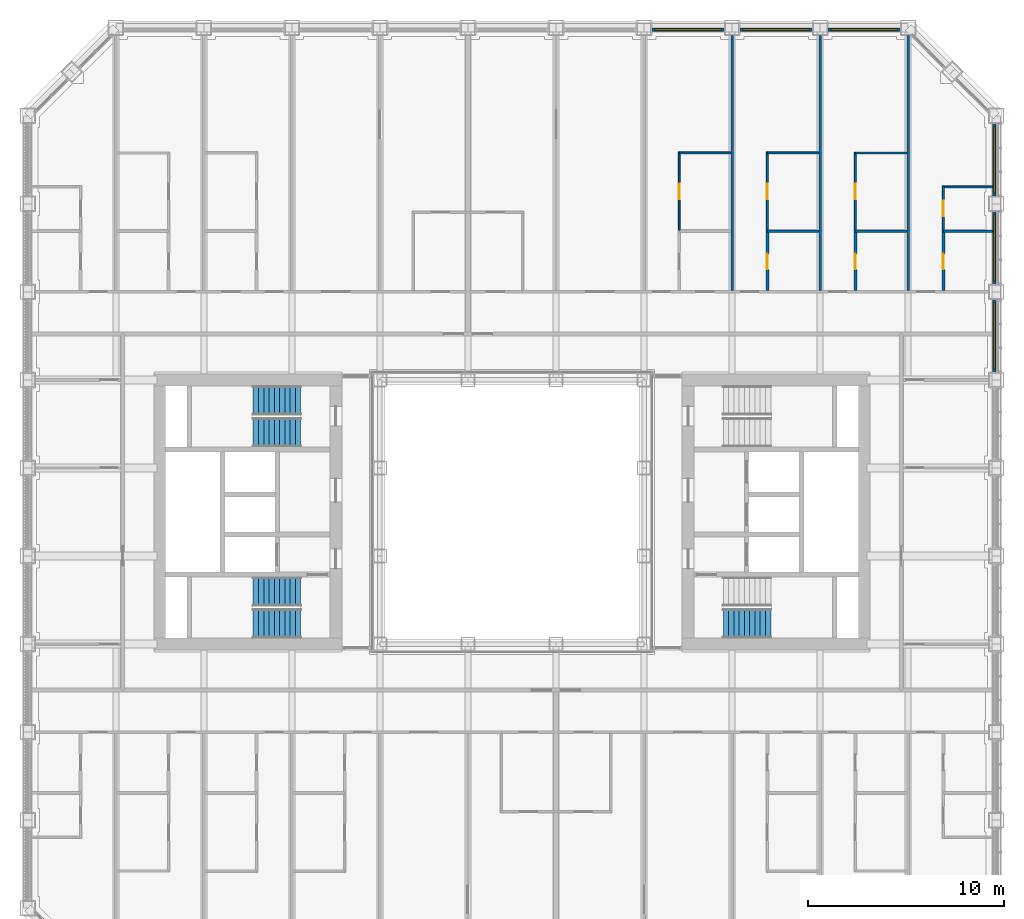
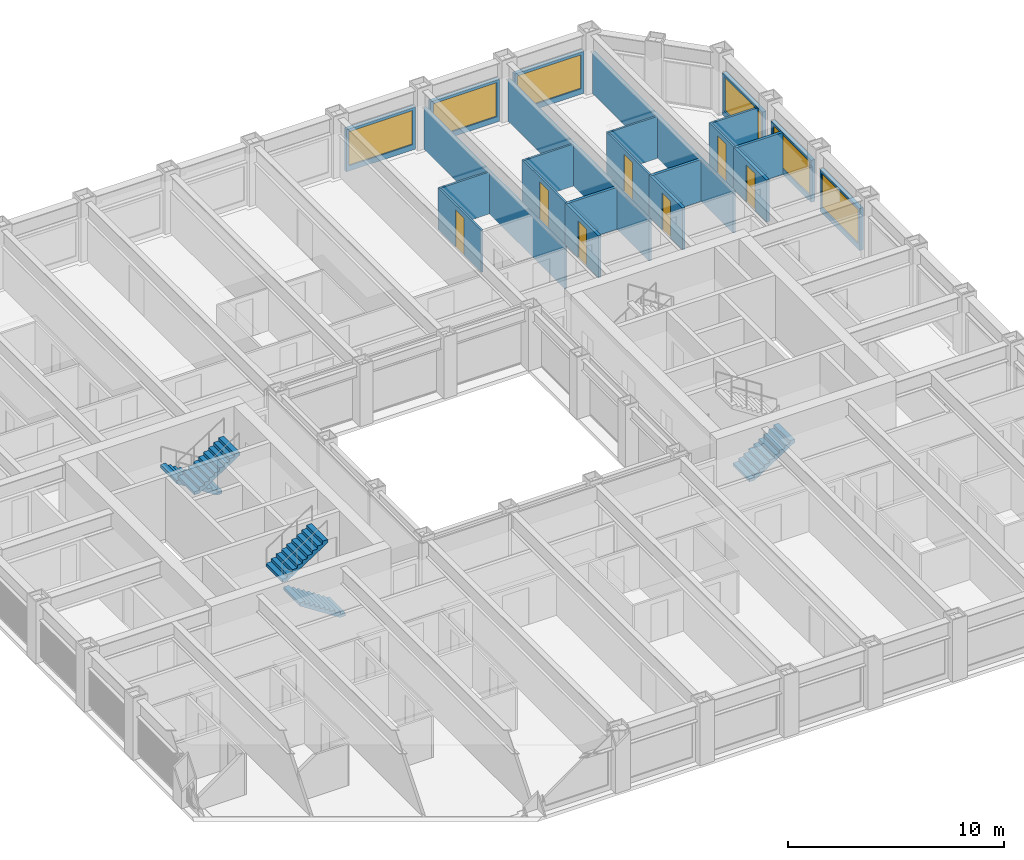
# One storey, part 15 of 21: 23 walls, 7 doors, 6 windows, 5 stair flights, 13 openings, 3 elements without a shape of their own.
"""IFC4 building model written with IfcOpenShell, lengths in metres."""

from ifc_helpers import new_model, si_unit, direction, frame, frame_2d, origin, place, context, subcontext, project, spatial, polyline, rectangle, outline, extrude, material, layer, layer_set, type_object, element, fill, aggregate, save


model = new_model("IFC4")

# Units and contexts
model_context = context("Model", 3, precision=1e-05, world=origin(), true_north=direction((0.0, 1.0)))
body_context = subcontext(model_context, "Body", "Model", "MODEL_VIEW")
ifc_project = project(units=[si_unit("LENGTHUNIT", "METRE"), si_unit("AREAUNIT", "SQUARE_METRE"), si_unit("VOLUMEUNIT", "CUBIC_METRE"), si_unit("PLANEANGLEUNIT", "RADIAN"), si_unit("MASSUNIT", "GRAM", prefix="KILO")], contexts=[model_context])

# Site, building, storey
site_placement = place(None, origin())
site = spatial("IfcSite", under=ifc_project, at=site_placement, CompositionType="ELEMENT")
building_placement = place(site_placement, origin())
building = spatial("IfcBuilding", under=site, at=building_placement, Name="Msasa Ring Tower", CompositionType="ELEMENT")
storey_placement = place(building_placement, frame((0.0, 0.0, 82.5)))
storey = spatial("IfcBuildingStorey", under=building, at=storey_placement, Name="L21", CompositionType="ELEMENT", Elevation=82.5)

# Wall, opening, window
ifc_material_1 = material(Name="Terracotta rainscreen on blockwork", Category="masonry")
ifc_layer_1 = layer(ifc_material_1, 0.199951171875)
ifc_layer_set_1 = layer_set([ifc_layer_1], Name="FW1 TERRACOTTA-LINED INFILL BAY WALL 200")
wall_type_1 = type_object("IfcWallType", Name="FW1 TERRACOTTA-LINED INFILL BAY WALL 200", PredefinedType="SOLIDWALL", material=ifc_layer_set_1)
wall_1_placement = place(storey_placement, frame((24.64990234375, 7.155029296875, 0.0), z_axis=(0.0, 0.0, 1.0), x_axis=(0.0, 1.0, 0.0)))
wall_1 = element("IfcWall", 1, at=wall_1_placement, inside=storey, type_object=wall_type_1, Name="Infill bay wall E L21 17", PredefinedType="SOLIDWALL", context=body_context, shape_type="SweptSolid", body=[
    extrude(rectangle(XDim=3.68994140625, YDim=0.199951171875, at=frame_2d((1.844970703125, 0.0))), origin(), (0.0, 0.0, 1.0), 2.37890625),
])
opening_1_placement = place(wall_1_placement, frame((0.14501953125, 0.0, 0.300048828125)))
opening_1 = element("IfcOpeningElement", 2, at=opening_1_placement, cuts=wall_1, Name="Opening WN1", PredefinedType="OPENING", context=body_context, shape_type="SweptSolid", body=[
    extrude(rectangle(XDim=3.39990234375, YDim=1.928955078125, at=frame_2d((1.699951171875, 0.96435546875))), frame((0.0, 0.10986328125, 0.0), z_axis=(0.0, -1.0, 0.0), x_axis=(1.0, 0.0, 0.0)), (0.0, 0.0, 1.0), 0.219970703125),
])
ifc_material_2 = material(Name="Aluminium frame with clear glass", Category="aluminium")
window_type = type_object("IfcWindowType", Name="WN1 RESIDENCE WINDOW 3400x1929", PartitioningType="SINGLE_PANEL", PredefinedType="WINDOW", material=ifc_material_2)
window_1_placement = place(opening_1_placement, origin())
window_1 = element("IfcWindow", 3, at=window_1_placement, inside=storey, type_object=window_type, Name="Window E L21 17", OverallHeight=1.928955078125, OverallWidth=3.39990234375, PartitioningType="SINGLE_PANEL", PredefinedType="WINDOW", context=body_context, shape_type="SweptSolid", body=[
    extrude(rectangle(XDim=3.39990234375, YDim=1.928955078125, at=frame_2d((1.699951171875, 0.96435546875))), frame((0.0, 0.030029296875, 0.0), z_axis=(0.0, -1.0, 0.0), x_axis=(1.0, 0.0, 0.0)), (0.0, 0.0, 1.0), 0.06005859375),
])
fill(opening_1, window_1)

wall_2_placement = place(storey_placement, frame((24.64990234375, 11.655029296875, 0.0), z_axis=(0.0, 0.0, 1.0), x_axis=(0.0, 1.0, 0.0)))
wall_2 = element("IfcWall", 4, at=wall_2_placement, inside=storey, type_object=wall_type_1, Name="Infill bay wall E L21 18", PredefinedType="SOLIDWALL", context=body_context, shape_type="SweptSolid", body=[
    extrude(rectangle(XDim=3.68994140625, YDim=0.199951171875, at=frame_2d((1.844970703125, 0.0))), origin(), (0.0, 0.0, 1.0), 2.37890625),
])
opening_2_placement = place(wall_2_placement, frame((0.14501953125, 0.0, 0.300048828125)))
opening_2 = element("IfcOpeningElement", 5, at=opening_2_placement, cuts=wall_2, Name="Opening WN1", PredefinedType="OPENING", context=body_context, shape_type="SweptSolid", body=[
    extrude(rectangle(XDim=3.39990234375, YDim=1.928955078125, at=frame_2d((1.699951171875, 0.96435546875))), frame((0.0, 0.10986328125, 0.0), z_axis=(0.0, -1.0, 0.0), x_axis=(1.0, 0.0, 0.0)), (0.0, 0.0, 1.0), 0.219970703125),
])
window_2_placement = place(opening_2_placement, origin())
window_2 = element("IfcWindow", 6, at=window_2_placement, inside=storey, type_object=window_type, Name="Window E L21 18", OverallHeight=1.928955078125, OverallWidth=3.39990234375, PartitioningType="SINGLE_PANEL", PredefinedType="WINDOW", context=body_context, shape_type="SweptSolid", body=[
    extrude(rectangle(XDim=3.39990234375, YDim=1.928955078125, at=frame_2d((1.699951171875, 0.96435546875))), frame((0.0, 0.030029296875, 0.0), z_axis=(0.0, -1.0, 0.0), x_axis=(1.0, 0.0, 0.0)), (0.0, 0.0, 1.0), 0.06005859375),
])
fill(opening_2, window_2)

wall_3_placement = place(storey_placement, frame((24.64990234375, 16.155029296875, 0.0), z_axis=(0.0, 0.0, 1.0), x_axis=(0.0, 1.0, 0.0)))
wall_3 = element("IfcWall", 7, at=wall_3_placement, inside=storey, type_object=wall_type_1, Name="Infill bay wall E L21 19", PredefinedType="SOLIDWALL", context=body_context, shape_type="SweptSolid", body=[
    extrude(rectangle(XDim=3.68994140625, YDim=0.199951171875, at=frame_2d((1.844970703125, 0.0))), origin(), (0.0, 0.0, 1.0), 2.37890625),
])
opening_3_placement = place(wall_3_placement, frame((0.14501953125, 0.0, 0.300048828125)))
opening_3 = element("IfcOpeningElement", 8, at=opening_3_placement, cuts=wall_3, Name="Opening WN1", PredefinedType="OPENING", context=body_context, shape_type="SweptSolid", body=[
    extrude(rectangle(XDim=3.39990234375, YDim=1.928955078125, at=frame_2d((1.699951171875, 0.96435546875))), frame((0.0, 0.10986328125, 0.0), z_axis=(0.0, -1.0, 0.0), x_axis=(1.0, 0.0, 0.0)), (0.0, 0.0, 1.0), 0.219970703125),
])
window_3_placement = place(opening_3_placement, origin())
window_3 = element("IfcWindow", 9, at=window_3_placement, inside=storey, type_object=window_type, Name="Window E L21 19", OverallHeight=1.928955078125, OverallWidth=3.39990234375, PartitioningType="SINGLE_PANEL", PredefinedType="WINDOW", context=body_context, shape_type="SweptSolid", body=[
    extrude(rectangle(XDim=3.39990234375, YDim=1.928955078125, at=frame_2d((1.699951171875, 0.96435546875))), frame((0.0, 0.030029296875, 0.0), z_axis=(0.0, -1.0, 0.0), x_axis=(1.0, 0.0, 0.0)), (0.0, 0.0, 1.0), 0.06005859375),
])
fill(opening_3, window_3)

wall_4_placement = place(storey_placement, frame((7.155029296875, 24.64990234375, 0.0), z_axis=(0.0, 0.0, 1.0), x_axis=(1.0, 0.0, 0.0)))
wall_4 = element("IfcWall", 10, at=wall_4_placement, inside=storey, type_object=wall_type_1, Name="Infill bay wall N L21 28", PredefinedType="SOLIDWALL", context=body_context, shape_type="SweptSolid", body=[
    extrude(rectangle(XDim=3.68994140625, YDim=0.199951171875, at=frame_2d((1.844970703125, 0.0))), origin(), (0.0, 0.0, 1.0), 2.37890625),
])
opening_4_placement = place(wall_4_placement, frame((0.14501953125, 0.0, 0.300048828125)))
opening_4 = element("IfcOpeningElement", 11, at=opening_4_placement, cuts=wall_4, Name="Opening WN1", PredefinedType="OPENING", context=body_context, shape_type="SweptSolid", body=[
    extrude(rectangle(XDim=3.39990234375, YDim=1.928955078125, at=frame_2d((1.699951171875, 0.96435546875))), frame((0.0, 0.10986328125, 0.0), z_axis=(0.0, -1.0, 0.0), x_axis=(1.0, 0.0, 0.0)), (0.0, 0.0, 1.0), 0.219970703125),
])
window_4_placement = place(opening_4_placement, origin())
window_4 = element("IfcWindow", 12, at=window_4_placement, inside=storey, type_object=window_type, Name="Window N L21 28", OverallHeight=1.928955078125, OverallWidth=3.39990234375, PartitioningType="SINGLE_PANEL", PredefinedType="WINDOW", context=body_context, shape_type="SweptSolid", body=[
    extrude(rectangle(XDim=3.39990234375, YDim=1.928955078125, at=frame_2d((1.699951171875, 0.96435546875))), frame((0.0, 0.030029296875, 0.0), z_axis=(0.0, -1.0, 0.0), x_axis=(1.0, 0.0, 0.0)), (0.0, 0.0, 1.0), 0.06005859375),
])
fill(opening_4, window_4)

wall_5_placement = place(storey_placement, frame((11.655029296875, 24.64990234375, 0.0), z_axis=(0.0, 0.0, 1.0), x_axis=(1.0, 0.0, 0.0)))
wall_5 = element("IfcWall", 13, at=wall_5_placement, inside=storey, type_object=wall_type_1, Name="Infill bay wall N L21 29", PredefinedType="SOLIDWALL", context=body_context, shape_type="SweptSolid", body=[
    extrude(rectangle(XDim=3.68994140625, YDim=0.199951171875, at=frame_2d((1.844970703125, 0.0))), origin(), (0.0, 0.0, 1.0), 2.37890625),
])
opening_5_placement = place(wall_5_placement, frame((0.14501953125, 0.0, 0.300048828125)))
opening_5 = element("IfcOpeningElement", 14, at=opening_5_placement, cuts=wall_5, Name="Opening WN1", PredefinedType="OPENING", context=body_context, shape_type="SweptSolid", body=[
    extrude(rectangle(XDim=3.39990234375, YDim=1.928955078125, at=frame_2d((1.699951171875, 0.96435546875))), frame((0.0, 0.10986328125, 0.0), z_axis=(0.0, -1.0, 0.0), x_axis=(1.0, 0.0, 0.0)), (0.0, 0.0, 1.0), 0.219970703125),
])
window_5_placement = place(opening_5_placement, origin())
window_5 = element("IfcWindow", 15, at=window_5_placement, inside=storey, type_object=window_type, Name="Window N L21 29", OverallHeight=1.928955078125, OverallWidth=3.39990234375, PartitioningType="SINGLE_PANEL", PredefinedType="WINDOW", context=body_context, shape_type="SweptSolid", body=[
    extrude(rectangle(XDim=3.39990234375, YDim=1.928955078125, at=frame_2d((1.699951171875, 0.96435546875))), frame((0.0, 0.030029296875, 0.0), z_axis=(0.0, -1.0, 0.0), x_axis=(1.0, 0.0, 0.0)), (0.0, 0.0, 1.0), 0.06005859375),
])
fill(opening_5, window_5)

wall_6_placement = place(storey_placement, frame((16.155029296875, 24.64990234375, 0.0), z_axis=(0.0, 0.0, 1.0), x_axis=(1.0, 0.0, 0.0)))
wall_6 = element("IfcWall", 16, at=wall_6_placement, inside=storey, type_object=wall_type_1, Name="Infill bay wall N L21 30", PredefinedType="SOLIDWALL", context=body_context, shape_type="SweptSolid", body=[
    extrude(rectangle(XDim=3.68994140625, YDim=0.199951171875, at=frame_2d((1.844970703125, 0.0))), origin(), (0.0, 0.0, 1.0), 2.37890625),
])
opening_6_placement = place(wall_6_placement, frame((0.14501953125, 0.0, 0.300048828125)))
opening_6 = element("IfcOpeningElement", 17, at=opening_6_placement, cuts=wall_6, Name="Opening WN1", PredefinedType="OPENING", context=body_context, shape_type="SweptSolid", body=[
    extrude(rectangle(XDim=3.39990234375, YDim=1.928955078125, at=frame_2d((1.699951171875, 0.96435546875))), frame((0.0, 0.10986328125, 0.0), z_axis=(0.0, -1.0, 0.0), x_axis=(1.0, 0.0, 0.0)), (0.0, 0.0, 1.0), 0.219970703125),
])
window_6_placement = place(opening_6_placement, origin())
window_6 = element("IfcWindow", 18, at=window_6_placement, inside=storey, type_object=window_type, Name="Window N L21 30", OverallHeight=1.928955078125, OverallWidth=3.39990234375, PartitioningType="SINGLE_PANEL", PredefinedType="WINDOW", context=body_context, shape_type="SweptSolid", body=[
    extrude(rectangle(XDim=3.39990234375, YDim=1.928955078125, at=frame_2d((1.699951171875, 0.96435546875))), frame((0.0, 0.030029296875, 0.0), z_axis=(0.0, -1.0, 0.0), x_axis=(1.0, 0.0, 0.0)), (0.0, 0.0, 1.0), 0.06005859375),
])
fill(opening_6, window_6)

# Wall, opening, door
ifc_material_3 = material(Name="Gypsum board on steel studs", Category="steel")
ifc_layer_2 = layer(ifc_material_3, 0.10009765625)
ifc_layer_set_2 = layer_set([ifc_layer_2], Name="PT2 STUD PARTITION 100")
wall_type_2 = type_object("IfcWallType", Name="PT2 STUD PARTITION 100", PredefinedType="PARTITIONING", material=ifc_layer_set_2)
wall_7_placement = place(storey_placement, frame((8.550048828125, 14.39990234375, 0.0), z_axis=(0.0, 0.0, 1.0), x_axis=(0.0, 1.0, 0.0)))
wall_7 = element("IfcWall", 19, at=wall_7_placement, inside=storey, type_object=wall_type_2, Name="Partition L21-VNEWX1", PredefinedType="PARTITIONING", context=body_context, shape_type="SweptSolid", body=[
    extrude(rectangle(XDim=4.003173828125, YDim=0.10009765625, at=frame_2d((2.00146484375, 0.0))), origin(), (0.0, 0.0, 1.0), 2.373291015625),
])
opening_7_placement = place(wall_7_placement, frame((1.576416015625, 0.0, 0.0)))
opening_7 = element("IfcOpeningElement", 20, at=opening_7_placement, cuts=wall_7, Name="Opening RF-005", PredefinedType="OPENING", context=body_context, shape_type="SweptSolid", body=[
    extrude(rectangle(XDim=0.800048828125, YDim=2.10009765625, at=frame_2d((0.39990234375, 1.050048828125))), frame((0.0, 0.06005859375, 0.0), z_axis=(0.0, -1.0, 0.0), x_axis=(1.0, 0.0, 0.0)), (0.0, 0.0, 1.0), 0.1201171875),
])
ifc_material_4 = material(Name="Timber door leaf in a steel frame", Category="steel")
door_type_1 = type_object("IfcDoorType", Name="D60 DRESSING ROOM DOOR 800x2100", OperationType="SINGLE_SWING_LEFT", PredefinedType="DOOR", material=ifc_material_4)
door_1_placement = place(opening_7_placement, origin())
door_1 = element("IfcDoor", 21, at=door_1_placement, inside=storey, type_object=door_type_1, Name="Door L21-VNEW1", OperationType="SINGLE_SWING_LEFT", OverallHeight=2.10009765625, OverallWidth=0.800048828125, PredefinedType="DOOR", context=body_context, shape_type="SweptSolid", body=[
    extrude(rectangle(XDim=0.800048828125, YDim=2.10009765625, at=frame_2d((0.39990234375, 1.050048828125))), frame((0.0, 0.02490234375, 0.0), z_axis=(0.0, -1.0, 0.0), x_axis=(1.0, 0.0, 0.0)), (0.0, 0.0, 1.0), 0.050048828125),
])
fill(opening_7, door_1)

# Wall
wall_8_placement = place(storey_placement, frame((8.550048828125, 18.35302734375, 0.0), z_axis=(0.0, 0.0, 1.0), x_axis=(1.0, 0.0, 0.0)))
element("IfcWall", 22, at=wall_8_placement, inside=storey, type_object=wall_type_2, Name="Partition L21-VNEWY1", PredefinedType="PARTITIONING", context=body_context, shape_type="SweptSolid", body=[
    extrude(rectangle(XDim=2.639892578125, YDim=0.10009765625, at=frame_2d((1.31982421875, 0.0))), origin(), (0.0, 0.0, 1.0), 2.373291015625),
])

# Wall, opening, door
wall_9_placement = place(storey_placement, frame((13.050048828125, 14.39990234375, 0.0), z_axis=(0.0, 0.0, 1.0), x_axis=(0.0, 1.0, 0.0)))
wall_9 = element("IfcWall", 23, at=wall_9_placement, inside=storey, type_object=wall_type_2, Name="Partition L21-VNEWX2", PredefinedType="PARTITIONING", context=body_context, shape_type="SweptSolid", body=[
    extrude(rectangle(XDim=4.003173828125, YDim=0.10009765625, at=frame_2d((2.00146484375, 0.0))), origin(), (0.0, 0.0, 1.0), 2.373291015625),
])
opening_8_placement = place(wall_9_placement, frame((1.576416015625, 0.0, 0.0)))
opening_8 = element("IfcOpeningElement", 24, at=opening_8_placement, cuts=wall_9, Name="Opening RF-006", PredefinedType="OPENING", context=body_context, shape_type="SweptSolid", body=[
    extrude(rectangle(XDim=0.800048828125, YDim=2.10009765625, at=frame_2d((0.39990234375, 1.050048828125))), frame((0.0, 0.06005859375, 0.0), z_axis=(0.0, -1.0, 0.0), x_axis=(1.0, 0.0, 0.0)), (0.0, 0.0, 1.0), 0.1201171875),
])
door_2_placement = place(opening_8_placement, origin())
door_2 = element("IfcDoor", 25, at=door_2_placement, inside=storey, type_object=door_type_1, Name="Door L21-VNEW2", OperationType="SINGLE_SWING_LEFT", OverallHeight=2.10009765625, OverallWidth=0.800048828125, PredefinedType="DOOR", context=body_context, shape_type="SweptSolid", body=[
    extrude(rectangle(XDim=0.800048828125, YDim=2.10009765625, at=frame_2d((0.39990234375, 1.050048828125))), frame((0.0, 0.02490234375, 0.0), z_axis=(0.0, -1.0, 0.0), x_axis=(1.0, 0.0, 0.0)), (0.0, 0.0, 1.0), 0.050048828125),
])
fill(opening_8, door_2)

# Wall
wall_10_placement = place(storey_placement, frame((13.050048828125, 18.35302734375, 0.0), z_axis=(0.0, 0.0, 1.0), x_axis=(1.0, 0.0, 0.0)))
element("IfcWall", 26, at=wall_10_placement, inside=storey, type_object=wall_type_2, Name="Partition L21-VNEWY2", PredefinedType="PARTITIONING", context=body_context, shape_type="SweptSolid", body=[
    extrude(rectangle(XDim=2.639892578125, YDim=0.10009765625, at=frame_2d((1.31982421875, 0.0))), origin(), (0.0, 0.0, 1.0), 2.373291015625),
])

# Wall, opening, door
wall_11_placement = place(storey_placement, frame((17.550048828125, 14.39990234375, 0.0), z_axis=(0.0, 0.0, 1.0), x_axis=(0.0, 1.0, 0.0)))
wall_11 = element("IfcWall", 27, at=wall_11_placement, inside=storey, type_object=wall_type_2, Name="Partition L21-VNEWX3", PredefinedType="PARTITIONING", context=body_context, shape_type="SweptSolid", body=[
    extrude(rectangle(XDim=4.00048828125, YDim=0.10009765625, at=frame_2d((2.000244140625, 0.0))), origin(), (0.0, 0.0, 1.0), 2.373291015625),
])
opening_9_placement = place(wall_11_placement, frame((1.5751953125, 0.0, 0.0)))
opening_9 = element("IfcOpeningElement", 28, at=opening_9_placement, cuts=wall_11, Name="Opening RF-007", PredefinedType="OPENING", context=body_context, shape_type="SweptSolid", body=[
    extrude(rectangle(XDim=0.800048828125, YDim=2.10009765625, at=frame_2d((0.39990234375, 1.050048828125))), frame((0.0, 0.06005859375, 0.0), z_axis=(0.0, -1.0, 0.0), x_axis=(1.0, 0.0, 0.0)), (0.0, 0.0, 1.0), 0.1201171875),
])
door_3_placement = place(opening_9_placement, origin())
door_3 = element("IfcDoor", 29, at=door_3_placement, inside=storey, type_object=door_type_1, Name="Door L21-VNEW3", OperationType="SINGLE_SWING_LEFT", OverallHeight=2.10009765625, OverallWidth=0.800048828125, PredefinedType="DOOR", context=body_context, shape_type="SweptSolid", body=[
    extrude(rectangle(XDim=0.800048828125, YDim=2.10009765625, at=frame_2d((0.39990234375, 1.050048828125))), frame((0.0, 0.02490234375, 0.0), z_axis=(0.0, -1.0, 0.0), x_axis=(1.0, 0.0, 0.0)), (0.0, 0.0, 1.0), 0.050048828125),
])
fill(opening_9, door_3)

# Wall
wall_12_placement = place(storey_placement, frame((17.550048828125, 18.350341796875, 0.0), z_axis=(0.0, 0.0, 1.0), x_axis=(1.0, 0.0, 0.0)))
element("IfcWall", 30, at=wall_12_placement, inside=storey, type_object=wall_type_2, Name="Partition L21-VNEWY3", PredefinedType="PARTITIONING", context=body_context, shape_type="SweptSolid", body=[
    extrude(rectangle(XDim=2.639892578125, YDim=0.10009765625, at=frame_2d((1.31982421875, 0.0))), origin(), (0.0, 0.0, 1.0), 2.373291015625),
])

# Wall, opening, door
wall_13_placement = place(storey_placement, frame((22.050048828125, 14.39990234375, 0.0), z_axis=(0.0, 0.0, 1.0), x_axis=(0.0, 1.0, 0.0)))
wall_13 = element("IfcWall", 31, at=wall_13_placement, inside=storey, type_object=wall_type_2, Name="Partition L21-VNEWX4", PredefinedType="PARTITIONING", context=body_context, shape_type="SweptSolid", body=[
    extrude(rectangle(XDim=2.273681640625, YDim=0.10009765625, at=frame_2d((1.13671875, 0.0))), origin(), (0.0, 0.0, 1.0), 2.373291015625),
])
opening_10_placement = place(wall_13_placement, frame((0.7119140625, 0.0, 0.0)))
opening_10 = element("IfcOpeningElement", 32, at=opening_10_placement, cuts=wall_13, Name="Opening RF-009", PredefinedType="OPENING", context=body_context, shape_type="SweptSolid", body=[
    extrude(rectangle(XDim=0.800048828125, YDim=2.10009765625, at=frame_2d((0.39990234375, 1.050048828125))), frame((0.0, 0.06005859375, 0.0), z_axis=(0.0, -1.0, 0.0), x_axis=(1.0, 0.0, 0.0)), (0.0, 0.0, 1.0), 0.1201171875),
])
door_4_placement = place(opening_10_placement, origin())
door_4 = element("IfcDoor", 33, at=door_4_placement, inside=storey, type_object=door_type_1, Name="Door L21-VNEW4", OperationType="SINGLE_SWING_LEFT", OverallHeight=2.10009765625, OverallWidth=0.800048828125, PredefinedType="DOOR", context=body_context, shape_type="SweptSolid", body=[
    extrude(rectangle(XDim=0.800048828125, YDim=2.10009765625, at=frame_2d((0.39990234375, 1.050048828125))), frame((0.0, 0.02490234375, 0.0), z_axis=(0.0, -1.0, 0.0), x_axis=(1.0, 0.0, 0.0)), (0.0, 0.0, 1.0), 0.050048828125),
])
fill(opening_10, door_4)

# Wall
wall_14_placement = place(storey_placement, frame((22.050048828125, 16.62353515625, 0.0), z_axis=(0.0, 0.0, 1.0), x_axis=(1.0, 0.0, 0.0)))
element("IfcWall", 34, at=wall_14_placement, inside=storey, type_object=wall_type_2, Name="Partition L21-VNEWY4", PredefinedType="PARTITIONING", context=body_context, shape_type="SweptSolid", body=[
    extrude(rectangle(XDim=2.5, YDim=0.10009765625, at=frame_2d((1.25, 0.0))), origin(), (0.0, 0.0, 1.0), 2.373291015625),
])

# Wall, opening, door
ifc_material_5 = material(Name="Moisture-resistant board on steel studs with a concealed cistern and pipe void, tiled", Category="steel")
ifc_layer_3 = layer(ifc_material_5, 0.14990234375)
ifc_layer_set_3 = layer_set([ifc_layer_3], Name="PT4 BATHROOM WET WALL 150")
wall_type_3 = type_object("IfcWallType", Name="PT4 BATHROOM WET WALL 150", PredefinedType="PARTITIONING", material=ifc_layer_set_3)
wall_15_placement = place(storey_placement, frame((13.050048828125, 11.3125, 0.0), z_axis=(0.0, 0.0, 1.0), x_axis=(0.0, 1.0, 0.0)))
wall_15 = element("IfcWall", 35, at=wall_15_placement, inside=storey, type_object=wall_type_3, Name="Partition L21-VNEBX2", PredefinedType="PARTITIONING", context=body_context, shape_type="SweptSolid", body=[
    extrude(rectangle(XDim=3.08740234375, YDim=0.14990234375, at=frame_2d((1.543701171875, 0.0))), origin(), (0.0, 0.0, 1.0), 2.373291015625),
])
opening_11_placement = place(wall_15_placement, frame((1.08740234375, 0.0, 0.0)))
opening_11 = element("IfcOpeningElement", 36, at=opening_11_placement, cuts=wall_15, Name="Opening RF-016", PredefinedType="OPENING", context=body_context, shape_type="SweptSolid", body=[
    extrude(rectangle(XDim=0.800048828125, YDim=2.10009765625, at=frame_2d((0.39990234375, 1.050048828125))), frame((0.0, 0.0849609375, 0.0), z_axis=(0.0, -1.0, 0.0), x_axis=(1.0, 0.0, 0.0)), (0.0, 0.0, 1.0), 0.169921875),
])
ifc_material_6 = material(Name="Timber door leaf in a steel frame", Category="steel")
door_type_2 = type_object("IfcDoorType", Name="D21 POCKET SLIDING BATHROOM DOOR 800x2100", OperationType="SINGLE_SWING_LEFT", PredefinedType="DOOR", material=ifc_material_6)
door_5_placement = place(opening_11_placement, origin())
door_5 = element("IfcDoor", 37, at=door_5_placement, inside=storey, type_object=door_type_2, Name="Door L21-VNEB2", OperationType="SINGLE_SWING_LEFT", OverallHeight=2.10009765625, OverallWidth=0.800048828125, PredefinedType="DOOR", context=body_context, shape_type="SweptSolid", body=[
    extrude(rectangle(XDim=0.800048828125, YDim=2.10009765625, at=frame_2d((0.39990234375, 1.050048828125))), frame((0.0, 0.02490234375, 0.0), z_axis=(0.0, -1.0, 0.0), x_axis=(1.0, 0.0, 0.0)), (0.0, 0.0, 1.0), 0.050048828125),
])
fill(opening_11, door_5)

# Wall
wall_16_placement = place(storey_placement, frame((13.050048828125, 14.35009765625, 0.0), z_axis=(0.0, 0.0, 1.0), x_axis=(1.0, 0.0, 0.0)))
element("IfcWall", 38, at=wall_16_placement, inside=storey, type_object=wall_type_3, Name="Partition L21-VNEBY2", PredefinedType="PARTITIONING", context=body_context, shape_type="SweptSolid", body=[
    extrude(rectangle(XDim=2.639892578125, YDim=0.14990234375, at=frame_2d((1.31982421875, 0.0))), origin(), (0.0, 0.0, 1.0), 2.373291015625),
])

# Wall, opening, door
wall_17_placement = place(storey_placement, frame((17.550048828125, 11.3125, 0.0), z_axis=(0.0, 0.0, 1.0), x_axis=(0.0, 1.0, 0.0)))
wall_17 = element("IfcWall", 39, at=wall_17_placement, inside=storey, type_object=wall_type_3, Name="Partition L21-VNEBX3", PredefinedType="PARTITIONING", context=body_context, shape_type="SweptSolid", body=[
    extrude(rectangle(XDim=3.08740234375, YDim=0.14990234375, at=frame_2d((1.543701171875, 0.0))), origin(), (0.0, 0.0, 1.0), 2.373291015625),
])
opening_12_placement = place(wall_17_placement, frame((1.08740234375, 0.0, 0.0)))
opening_12 = element("IfcOpeningElement", 40, at=opening_12_placement, cuts=wall_17, Name="Opening RF-017", PredefinedType="OPENING", context=body_context, shape_type="SweptSolid", body=[
    extrude(rectangle(XDim=0.800048828125, YDim=2.10009765625, at=frame_2d((0.39990234375, 1.050048828125))), frame((0.0, 0.0849609375, 0.0), z_axis=(0.0, -1.0, 0.0), x_axis=(1.0, 0.0, 0.0)), (0.0, 0.0, 1.0), 0.169921875),
])
door_6_placement = place(opening_12_placement, origin())
door_6 = element("IfcDoor", 41, at=door_6_placement, inside=storey, type_object=door_type_2, Name="Door L21-VNEB3", OperationType="SINGLE_SWING_LEFT", OverallHeight=2.10009765625, OverallWidth=0.800048828125, PredefinedType="DOOR", context=body_context, shape_type="SweptSolid", body=[
    extrude(rectangle(XDim=0.800048828125, YDim=2.10009765625, at=frame_2d((0.39990234375, 1.050048828125))), frame((0.0, 0.02490234375, 0.0), z_axis=(0.0, -1.0, 0.0), x_axis=(1.0, 0.0, 0.0)), (0.0, 0.0, 1.0), 0.050048828125),
])
fill(opening_12, door_6)

# Wall
wall_18_placement = place(storey_placement, frame((17.550048828125, 14.35009765625, 0.0), z_axis=(0.0, 0.0, 1.0), x_axis=(1.0, 0.0, 0.0)))
element("IfcWall", 42, at=wall_18_placement, inside=storey, type_object=wall_type_3, Name="Partition L21-VNEBY3", PredefinedType="PARTITIONING", context=body_context, shape_type="SweptSolid", body=[
    extrude(rectangle(XDim=2.639892578125, YDim=0.14990234375, at=frame_2d((1.31982421875, 0.0))), origin(), (0.0, 0.0, 1.0), 2.373291015625),
])

# Wall, opening, door
wall_19_placement = place(storey_placement, frame((22.050048828125, 11.3125, 0.0), z_axis=(0.0, 0.0, 1.0), x_axis=(0.0, 1.0, 0.0)))
wall_19 = element("IfcWall", 43, at=wall_19_placement, inside=storey, type_object=wall_type_3, Name="Partition L21-VNEBX4", PredefinedType="PARTITIONING", context=body_context, shape_type="SweptSolid", body=[
    extrude(rectangle(XDim=3.08740234375, YDim=0.14990234375, at=frame_2d((1.543701171875, 0.0))), origin(), (0.0, 0.0, 1.0), 2.373291015625),
])
opening_13_placement = place(wall_19_placement, frame((1.08740234375, 0.0, 0.0)))
opening_13 = element("IfcOpeningElement", 44, at=opening_13_placement, cuts=wall_19, Name="Opening RF-018", PredefinedType="OPENING", context=body_context, shape_type="SweptSolid", body=[
    extrude(rectangle(XDim=0.800048828125, YDim=2.10009765625, at=frame_2d((0.39990234375, 1.050048828125))), frame((0.0, 0.0849609375, 0.0), z_axis=(0.0, -1.0, 0.0), x_axis=(1.0, 0.0, 0.0)), (0.0, 0.0, 1.0), 0.169921875),
])
door_7_placement = place(opening_13_placement, origin())
door_7 = element("IfcDoor", 45, at=door_7_placement, inside=storey, type_object=door_type_2, Name="Door L21-VNEB4", OperationType="SINGLE_SWING_LEFT", OverallHeight=2.10009765625, OverallWidth=0.800048828125, PredefinedType="DOOR", context=body_context, shape_type="SweptSolid", body=[
    extrude(rectangle(XDim=0.800048828125, YDim=2.10009765625, at=frame_2d((0.39990234375, 1.050048828125))), frame((0.0, 0.02490234375, 0.0), z_axis=(0.0, -1.0, 0.0), x_axis=(1.0, 0.0, 0.0)), (0.0, 0.0, 1.0), 0.050048828125),
])
fill(opening_13, door_7)

# Walls
wall_20_placement = place(storey_placement, frame((22.050048828125, 14.35009765625, 0.0), z_axis=(0.0, 0.0, 1.0), x_axis=(1.0, 0.0, 0.0)))
element("IfcWall", 46, at=wall_20_placement, inside=storey, type_object=wall_type_3, Name="Partition L21-VNEBY4", PredefinedType="PARTITIONING", context=body_context, shape_type="SweptSolid", body=[
    extrude(rectangle(XDim=2.5, YDim=0.14990234375, at=frame_2d((1.25, 0.0))), origin(), (0.0, 0.0, 1.0), 2.373291015625),
])
ifc_material_7 = material(Name="Two layers of acoustic board each face on steel studs, mineral wool", Category="steel")
ifc_layer_4 = layer(ifc_material_7, 0.125)
ifc_layer_set_4 = layer_set([ifc_layer_4], Name="PT6 ACOUSTIC DOUBLE-BOARD PARTITION 125")
wall_type_4 = type_object("IfcWallType", Name="PT6 ACOUSTIC DOUBLE-BOARD PARTITION 125", PredefinedType="PARTITIONING", material=ifc_layer_set_4)
for number, where, z_axis, x_axis, name in (
    (47, (11.25, 11.3125, 0.0), (0.0, 0.0, 1.0), (0.0, 1.0, 0.0), "Partition L21-VNEP2"),
    (48, (15.75, 11.3125, 0.0), (0.0, 0.0, 1.0), (0.0, 1.0, 0.0), "Partition L21-VNEP3"),
    (49, (20.25, 11.3125, 0.0), (0.0, 0.0, 1.0), (0.0, 1.0, 0.0), "Partition L21-VNEP4"),
):
    element("IfcWall", number, at=place(storey_placement, frame(where, z_axis=z_axis, x_axis=x_axis)), inside=storey, type_object=wall_type_4, Name=name, PredefinedType="PARTITIONING", context=body_context, shape_type="SweptSolid", body=[
        extrude(rectangle(XDim=13.03759765625, YDim=0.125, at=frame_2d((6.518798828125, 0.0))), origin(), (0.0, 0.0, 1.0), 2.373291015625),
    ])

# Stair, stair flight
ifc_material_8 = material(Name="Concrete C40/50", Category="concrete")
stair_type = type_object("IfcStairType", Name="STC CORE STAIR 20 RISERS 175", PredefinedType="HALF_TURN_STAIR", material=ifc_material_8)
stair_1_placement = place(storey_placement, origin())
stair_1 = element("IfcStair", 50, at=stair_1_placement, inside=storey, type_object=stair_type, Name="Core stair SEA L21", PredefinedType="HALF_TURN_STAIR")
ifc_material_9 = material(Name="Concrete C40/50", Category="concrete")
stair_flight_type = type_object("IfcStairFlightType", Name="ST12 CORE STAIR FLIGHT 1500 10 RISERS 175", PredefinedType="STRAIGHT", material=ifc_material_9)
stair_flight_1_placement = place(storey_placement, frame((10.800048828125, -5.699951171875, 0.0), z_axis=(0.0, 0.0, 1.0), x_axis=(1.0, 0.0, 0.0)))
stair_flight_1 = element("IfcStairFlight", 51, at=stair_flight_1_placement, type_object=stair_flight_type, Name="SEA flight 1", NumberOfRisers=10, NumberOfTreads=9, PredefinedType="STRAIGHT", RiserHeight=0.175, TreadLength=0.27, context=body_context, shape_type="SweptSolid", body=[
    extrude(outline(polyline([(0.0, 0.0), (0.0, 0.175048828125), (0.27001953125, 0.175048828125), (0.27001953125, 0.35009765625), (0.5400390625, 0.35009765625), (0.5400390625, 0.52490234375), (0.81005859375, 0.52490234375), (0.81005859375, 0.699951171875), (1.080078125, 0.699951171875), (1.080078125, 0.875), (1.35009765625, 0.875), (1.35009765625, 1.050048828125), (1.6201171875, 1.050048828125), (1.6201171875, 1.22509765625), (1.889892578125, 1.22509765625), (1.889892578125, 1.39990234375), (2.159912109375, 1.39990234375), (2.159912109375, 1.574951171875), (2.429931640625, 1.574951171875), (2.429931640625, 1.75), (2.429931640625, 1.396484375), (0.275634765625, 0.0), (0.0, 0.0)])), frame((0.0, 0.75, 0.0), z_axis=(0.0, -1.0, 0.0), x_axis=(1.0, 0.0, 0.0)), (0.0, 0.0, 1.0), 1.5),
])
aggregate(stair_1, [stair_flight_1])

# Stair, stair flights
stair_2_placement = place(storey_placement, origin())
stair_2 = element("IfcStair", 52, at=stair_2_placement, inside=storey, type_object=stair_type, Name="Core stair SWA L21", PredefinedType="HALF_TURN_STAIR")
stair_flight_2_placement = place(storey_placement, frame((-10.800048828125, -5.699951171875, 0.0), z_axis=(0.0, 0.0, 1.0), x_axis=(-1.0, 0.0, 0.0)))
stair_flight_2 = element("IfcStairFlight", 53, at=stair_flight_2_placement, type_object=stair_flight_type, Name="SWA flight 1", NumberOfRisers=10, NumberOfTreads=9, PredefinedType="STRAIGHT", RiserHeight=0.175, TreadLength=0.27, context=body_context, shape_type="SweptSolid", body=[
    extrude(outline(polyline([(0.0, 0.0), (0.0, 0.175048828125), (0.27001953125, 0.175048828125), (0.27001953125, 0.35009765625), (0.5400390625, 0.35009765625), (0.5400390625, 0.52490234375), (0.81005859375, 0.52490234375), (0.81005859375, 0.699951171875), (1.080078125, 0.699951171875), (1.080078125, 0.875), (1.35009765625, 0.875), (1.35009765625, 1.050048828125), (1.6201171875, 1.050048828125), (1.6201171875, 1.22509765625), (1.889892578125, 1.22509765625), (1.889892578125, 1.39990234375), (2.159912109375, 1.39990234375), (2.159912109375, 1.574951171875), (2.429931640625, 1.574951171875), (2.429931640625, 1.75), (2.429931640625, 1.396484375), (0.275634765625, 0.0), (0.0, 0.0)])), frame((0.0, 0.75, 0.0), z_axis=(0.0, -1.0, 0.0), x_axis=(1.0, 0.0, 0.0)), (0.0, 0.0, 1.0), 1.5),
])
stair_flight_3_placement = place(storey_placement, frame((-13.22998046875, -4.074951171875, 1.75), z_axis=(0.0, 0.0, 1.0), x_axis=(1.0, 0.0, 0.0)))
stair_flight_3 = element("IfcStairFlight", 54, at=stair_flight_3_placement, type_object=stair_flight_type, Name="SWA flight 2", NumberOfRisers=10, NumberOfTreads=9, PredefinedType="STRAIGHT", RiserHeight=0.175, TreadLength=0.27, context=body_context, shape_type="SweptSolid", body=[
    extrude(outline(polyline([(0.0, 0.0), (0.0, 0.175048828125), (0.27001953125, 0.175048828125), (0.27001953125, 0.35009765625), (0.5400390625, 0.35009765625), (0.5400390625, 0.52490234375), (0.81005859375, 0.52490234375), (0.81005859375, 0.699951171875), (1.080078125, 0.699951171875), (1.080078125, 0.875), (1.35009765625, 0.875), (1.35009765625, 1.050048828125), (1.6201171875, 1.050048828125), (1.6201171875, 1.22509765625), (1.889892578125, 1.22509765625), (1.889892578125, 1.39990234375), (2.159912109375, 1.39990234375), (2.159912109375, 1.574951171875), (2.429931640625, 1.574951171875), (2.429931640625, 1.75), (2.429931640625, 1.396484375), (0.275634765625, 0.0), (0.0, 0.0)])), frame((0.0, 0.75, 0.0), z_axis=(0.0, -1.0, 0.0), x_axis=(1.0, 0.0, 0.0)), (0.0, 0.0, 1.0), 1.5),
])
aggregate(stair_2, [stair_flight_2, stair_flight_3])

stair_3_placement = place(storey_placement, origin())
stair_3 = element("IfcStair", 55, at=stair_3_placement, inside=storey, type_object=stair_type, Name="Core stair SWB L21", PredefinedType="HALF_TURN_STAIR")
stair_flight_4_placement = place(storey_placement, frame((-10.800048828125, 5.699951171875, 0.0), z_axis=(0.0, 0.0, 1.0), x_axis=(-1.0, 0.0, 0.0)))
stair_flight_4 = element("IfcStairFlight", 56, at=stair_flight_4_placement, type_object=stair_flight_type, Name="SWB flight 1", NumberOfRisers=10, NumberOfTreads=9, PredefinedType="STRAIGHT", RiserHeight=0.175, TreadLength=0.27, context=body_context, shape_type="SweptSolid", body=[
    extrude(outline(polyline([(0.0, 0.0), (0.0, 0.175048828125), (0.27001953125, 0.175048828125), (0.27001953125, 0.35009765625), (0.5400390625, 0.35009765625), (0.5400390625, 0.52490234375), (0.81005859375, 0.52490234375), (0.81005859375, 0.699951171875), (1.080078125, 0.699951171875), (1.080078125, 0.875), (1.35009765625, 0.875), (1.35009765625, 1.050048828125), (1.6201171875, 1.050048828125), (1.6201171875, 1.22509765625), (1.889892578125, 1.22509765625), (1.889892578125, 1.39990234375), (2.159912109375, 1.39990234375), (2.159912109375, 1.574951171875), (2.429931640625, 1.574951171875), (2.429931640625, 1.75), (2.429931640625, 1.396484375), (0.275634765625, 0.0), (0.0, 0.0)])), frame((0.0, 0.75, 0.0), z_axis=(0.0, -1.0, 0.0), x_axis=(1.0, 0.0, 0.0)), (0.0, 0.0, 1.0), 1.5),
])
stair_flight_5_placement = place(storey_placement, frame((-13.22998046875, 4.074951171875, 1.75), z_axis=(0.0, 0.0, 1.0), x_axis=(1.0, 0.0, 0.0)))
stair_flight_5 = element("IfcStairFlight", 57, at=stair_flight_5_placement, type_object=stair_flight_type, Name="SWB flight 2", NumberOfRisers=10, NumberOfTreads=9, PredefinedType="STRAIGHT", RiserHeight=0.175, TreadLength=0.27, context=body_context, shape_type="SweptSolid", body=[
    extrude(outline(polyline([(0.0, 0.0), (0.0, 0.175048828125), (0.27001953125, 0.175048828125), (0.27001953125, 0.35009765625), (0.5400390625, 0.35009765625), (0.5400390625, 0.52490234375), (0.81005859375, 0.52490234375), (0.81005859375, 0.699951171875), (1.080078125, 0.699951171875), (1.080078125, 0.875), (1.35009765625, 0.875), (1.35009765625, 1.050048828125), (1.6201171875, 1.050048828125), (1.6201171875, 1.22509765625), (1.889892578125, 1.22509765625), (1.889892578125, 1.39990234375), (2.159912109375, 1.39990234375), (2.159912109375, 1.574951171875), (2.429931640625, 1.574951171875), (2.429931640625, 1.75), (2.429931640625, 1.396484375), (0.275634765625, 0.0), (0.0, 0.0)])), frame((0.0, 0.75, 0.0), z_axis=(0.0, -1.0, 0.0), x_axis=(1.0, 0.0, 0.0)), (0.0, 0.0, 1.0), 1.5),
])
aggregate(stair_3, [stair_flight_4, stair_flight_5])

save(model, "model.ifc")
